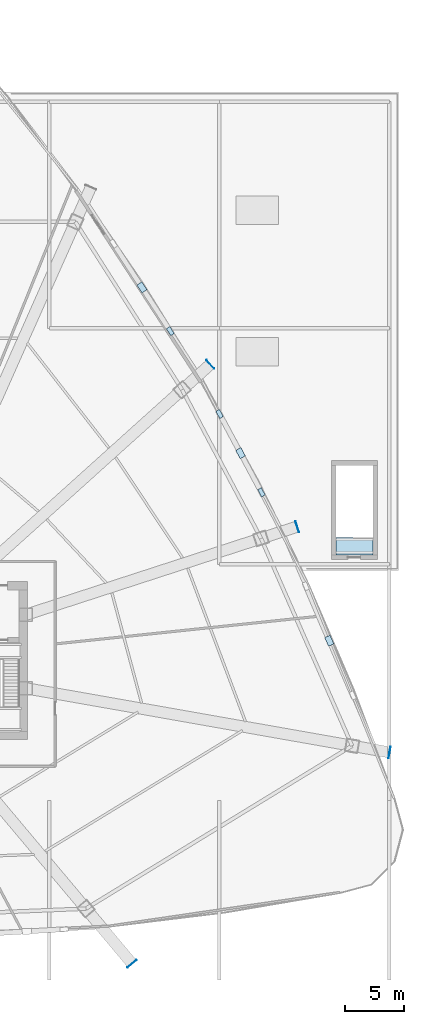
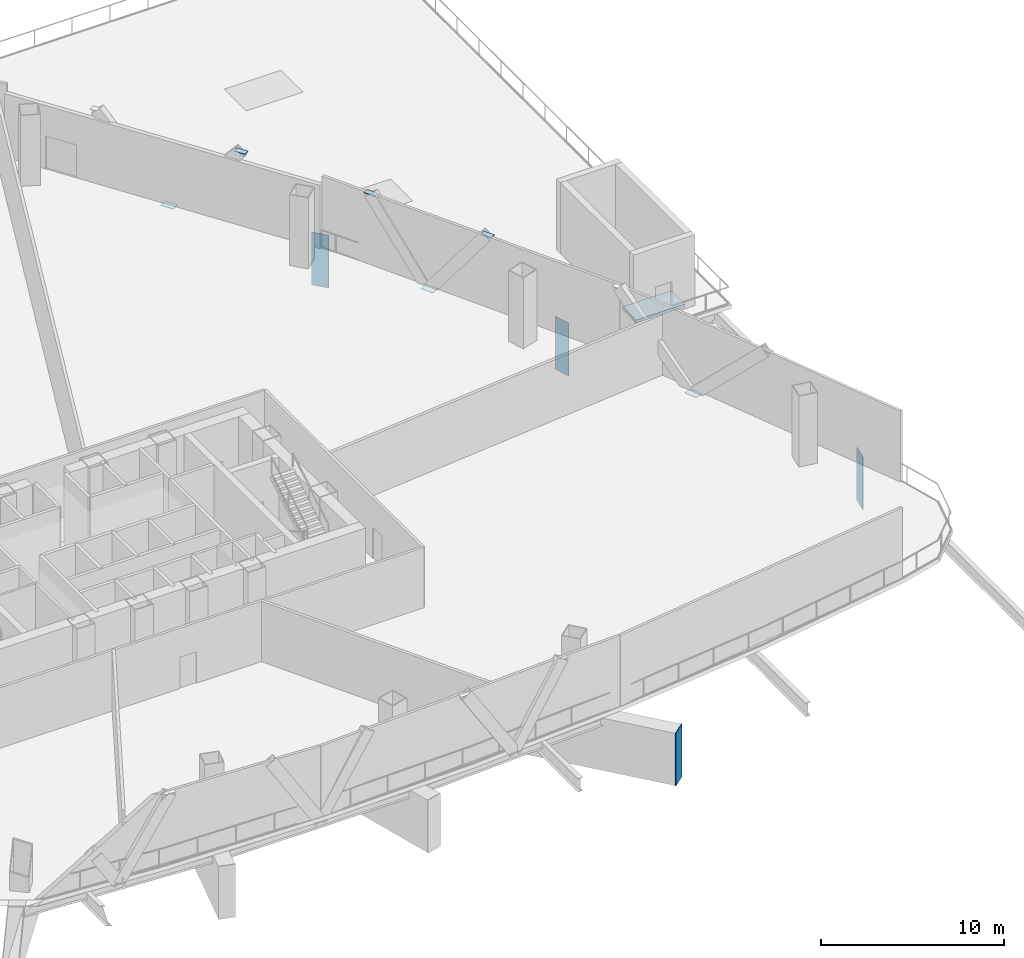
# One storey, part 7 of 18: 10 plates, 1 slab.
"""IFC4 building model written with IfcOpenShell, lengths in metres."""

from ifc_helpers import new_model, si_unit, direction, frame, origin, origin_2d, place, context, subcontext, project, spatial, polyline, rectangle, outline, extrude, source, transform, mapped, material, layer, layer_set, type_object, element, save


model = new_model("IFC4")

# Units and contexts
model_context = context("Model", 3, precision=1e-05, world=origin(), true_north=direction((0.0, 1.0)))
body_context = subcontext(model_context, "Body", "Model", "MODEL_VIEW")
ifc_project = project(units=[si_unit("LENGTHUNIT", "METRE"), si_unit("AREAUNIT", "SQUARE_METRE"), si_unit("VOLUMEUNIT", "CUBIC_METRE"), si_unit("PLANEANGLEUNIT", "RADIAN"), si_unit("MASSUNIT", "GRAM", prefix="KILO"), si_unit("THERMODYNAMICTEMPERATUREUNIT", "KELVIN"), si_unit("POWERUNIT", "WATT")], contexts=[model_context])

# Site, building, storey
site_placement = place(None, origin())
site = spatial("IfcSite", under=ifc_project, at=site_placement, CompositionType="ELEMENT")
building_placement = place(site_placement, origin())
building = spatial("IfcBuilding", under=site, at=building_placement, Name="Yunzhuo Pagoda Commons", CompositionType="ELEMENT")
storey_placement = place(building_placement, frame((0.0, 0.0, 25.39990234375)))
storey = spatial("IfcBuildingStorey", under=building, at=storey_placement, Name="L06", CompositionType="ELEMENT", Elevation=25.39990234375)

# Slab
ifc_material_1 = material(Name="Concrete C40", Category="concrete")
ifc_layer_1 = layer(ifc_material_1, 0.2080078125)
ifc_layer_set_1 = layer_set([ifc_layer_1], Name="Concrete C40")
slab_type = type_object("IfcSlabType", Name="SL-LND4 Podium Landing Slab 208", PredefinedType="LANDING", material=ifc_layer_set_1)
slab_placement = place(storey_placement, frame((0.0, 0.0, -0.199951171875)))
element("IfcSlab", 1, at=slab_placement, inside=storey, type_object=slab_type, Name="PS4 floor landing L06", PredefinedType="LANDING", context=body_context, shape_type="SweptSolid", body=[
    extrude(outline(polyline([(89.800048828125, 42.800048828125), (89.800048828125, 44.300048828125), (86.699951171875, 44.300048828125), (86.699951171875, 42.800048828125), (89.800048828125, 42.800048828125)])), origin(), (0.0, 0.0, 1.0), 0.199951171875),
])

# Plates
ifc_material_2 = material(Name="Structural steel Q420B", Category="steel")
ifc_layer_2 = layer(ifc_material_2, 0.0400390625)
ifc_layer_set_2 = layer_set([ifc_layer_2], Name="Structural steel Q420B")
plate_type_1 = type_object("IfcPlateType", Name="EP-TR2 Transfer Girder End Cap Plate 980x3540x40", PredefinedType="USERDEFINED", material=ifc_layer_set_2)
shared_shape_1 = source(origin(), body_context, "Body", "SweptSolid", [
    extrude(rectangle(XDim=0.97998046875, YDim=0.0400390625, at=origin_2d()), origin(), (0.0, 0.0, 1.0), 3.5400390625),
])
for number, where, z_axis, x_axis, name in (
    (2, (69.40869140625, 8.186279296875, -3.7998046875), (0.0, 0.0, 1.0), (0.766044443119, 0.642787609687, 0.0), "L06 transfer girder end cap plate F1C4"),
    (3, (91.216796875, 26.079833984375, -3.7998046875), (0.0, 0.0, 1.0), (0.173648177667, 0.984807753012, 0.0), "L06 transfer girder end cap plate F2C1"),
    (4, (83.39599609375, 45.200927734375, -3.7998046875), (0.0, 0.0, 1.0), (-0.309016994375, 0.951056516295, 0.0), "L06 transfer girder end cap plate F2C2"),
    (5, (76.040283203125, 58.947509765625, -3.7998046875), (0.0, 0.0, 1.0), (-0.669130606359, 0.743144825477, 0.0), "L06 transfer girder end cap plate F2C3"),
):
    element("IfcPlate", number, at=place(storey_placement, frame(where, z_axis=z_axis, x_axis=x_axis)), inside=storey, type_object=plate_type_1, Name=name, ObjectType="END_PLATE", PredefinedType="USERDEFINED", context=body_context, shape_type="MappedRepresentation", body=[
        mapped(shared_shape_1, transform((0.0, 0.0, 0.0), scale=1.0)),
    ])
ifc_material_3 = material(Name="Structural steel Q355B", Category="steel")
ifc_layer_3 = layer(ifc_material_3, 0.028076171875)
ifc_layer_set_3 = layer_set([ifc_layer_3], Name="Structural steel Q355B")
plate_type_2 = type_object("IfcPlateType", Name="SP-ND1 Lattice Node Cap Plate 800x500x28", PredefinedType="USERDEFINED", material=ifc_layer_set_3)
shared_shape_2 = source(origin(), body_context, "Body", "SweptSolid", [
    extrude(rectangle(XDim=0.800048828125, YDim=0.5, at=origin_2d()), origin(), (0.0, 0.0, 1.0), 0.028076171875),
])
for number, where, z_axis, x_axis, name in (
    (6, (86.11962890625, 35.534912109375, -0.2939453125), (0.0, 0.0, 1.0), (-0.39485610496, 0.918742976232, 0.0), "L06 diamond node plate F2.1A"),
    (7, (78.598388671875, 51.427490234375, -0.2939453125), (0.0, 0.0, 1.0), (-0.470981088896, 0.882143306897, 0.0), "L06 diamond node plate F2.2A"),
    (8, (70.247802734375, 65.465576171875, -0.2939453125), (0.0, 0.0, 1.0), (-0.544668309809, 0.838651555946, 0.0), "L06 diamond node plate F2.3A"),
):
    element("IfcPlate", number, at=place(storey_placement, frame(where, z_axis=z_axis, x_axis=x_axis)), inside=storey, type_object=plate_type_2, Name=name, ObjectType="STIFFENER_PLATE", PredefinedType="USERDEFINED", context=body_context, shape_type="MappedRepresentation", body=[
        mapped(shared_shape_2, transform((0.0, 0.0, 0.0), scale=1.0)),
    ])
shared_shape_3 = source(origin(), body_context, "Body", "SweptSolid", [
    extrude(rectangle(XDim=0.699951171875, YDim=0.35009765625, at=origin_2d()), origin(), (0.0, 0.0, 1.0), 0.035888671875),
])
for number, where, z_axis, x_axis, name in (
    (9, (80.36962890625, 48.110107421875, 4.7021484375), (0.0, 0.0, 1.0), (-0.470981088896, 0.882143306897, 0.0), "L06 setback lattice tie plate F2.2L"),
    (10, (76.827392578125, 54.744384765625, 4.7021484375), (0.0, 0.0, 1.0), (-0.470981088896, 0.882143306897, 0.0), "L06 setback lattice tie plate F2.2R"),
    (11, (72.652099609375, 61.763671875, 4.7021484375), (0.0, 0.0, 1.0), (-0.544668309809, 0.838651555946, 0.0), "L06 setback lattice tie plate F2.3L"),
):
    element("IfcPlate", number, at=place(storey_placement, frame(where, z_axis=z_axis, x_axis=x_axis)), inside=storey, type_object=plate_type_2, Name=name, ObjectType="STIFFENER_PLATE", PredefinedType="USERDEFINED", context=body_context, shape_type="MappedRepresentation", body=[
        mapped(shared_shape_3, transform((0.0, 0.0, 0.0), scale=1.0)),
    ])

save(model, "model.ifc")
